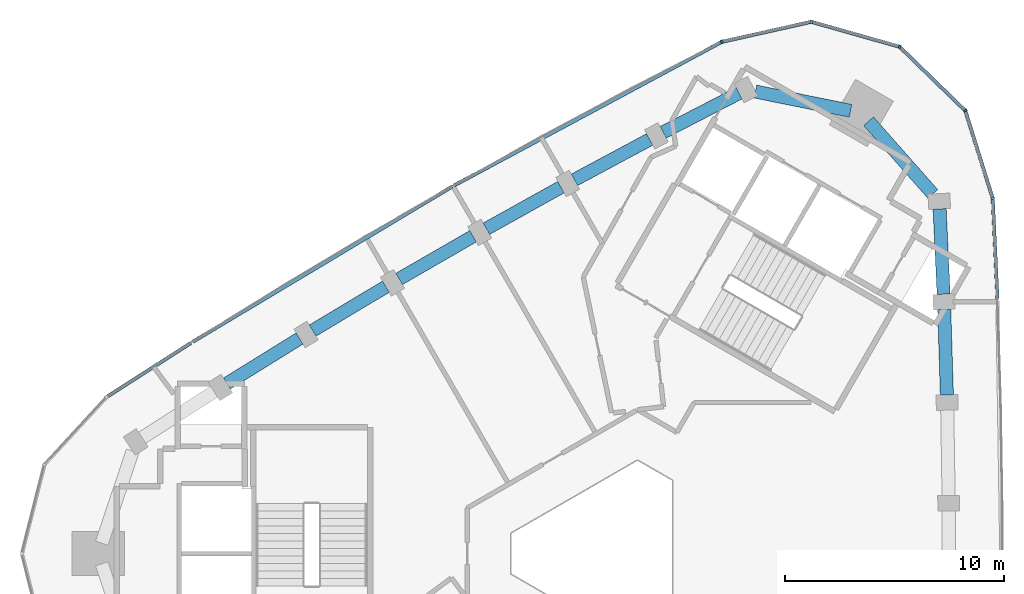
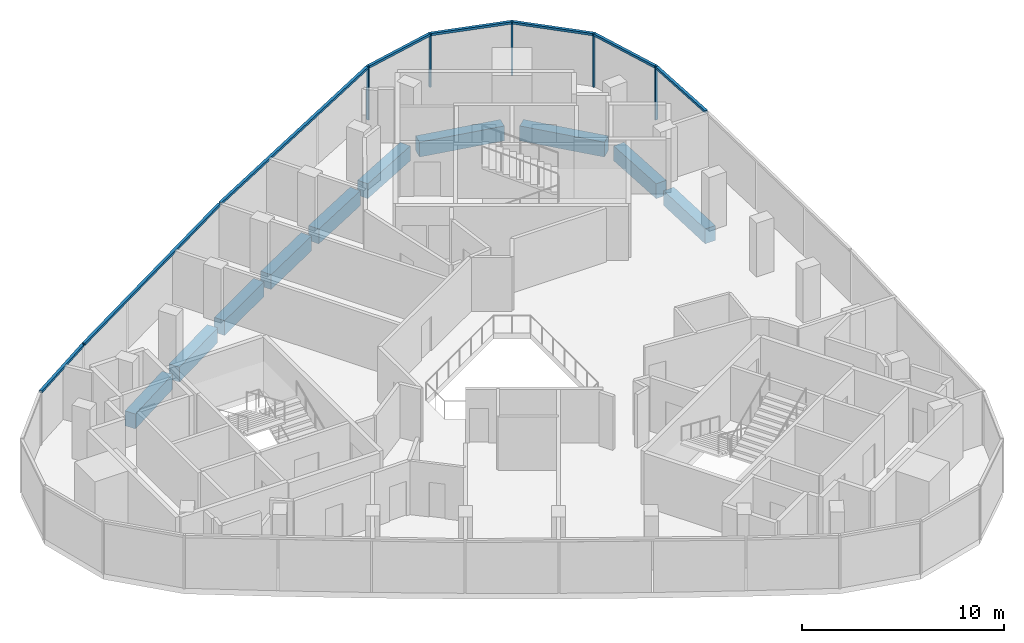
# One storey, part 4 of 10: 13 members, 10 beams, 2 elements without a shape of their own.
"""IFC4 building model written with IfcOpenShell, lengths in metres."""

from ifc_helpers import new_model, si_unit, direction, frame, origin, origin_2d, place, context, subcontext, project, spatial, rectangle, extrude, material, material_profile, profile_set, type_object, element, aggregate, save


model = new_model("IFC4")

# Units and contexts
model_context = context("Model", 3, precision=1e-05, world=origin(), true_north=direction((0.0, 1.0)))
body_context = subcontext(model_context, "Body", "Model", "MODEL_VIEW")
ifc_project = project(units=[si_unit("LENGTHUNIT", "METRE"), si_unit("AREAUNIT", "SQUARE_METRE"), si_unit("VOLUMEUNIT", "CUBIC_METRE"), si_unit("PLANEANGLEUNIT", "RADIAN"), si_unit("MASSUNIT", "GRAM", prefix="KILO")], contexts=[model_context])

# Site, building, storey
site_placement = place(None, origin())
site = spatial("IfcSite", under=ifc_project, at=site_placement, CompositionType="ELEMENT")
building_placement = place(site_placement, origin())
building = spatial("IfcBuilding", under=site, at=building_placement, Name="Tamra Quay Hotel Tower", CompositionType="ELEMENT")
storey_placement = place(building_placement, frame((0.0, 0.0, 276.60009765625)))
storey = spatial("IfcBuildingStorey", under=building, at=storey_placement, Name="L70", CompositionType="ELEMENT", Elevation=276.60009765625)

# Curtain wall, members
ifc_material_1 = material(Name="Aluminium 6063 anodised dark grey", Category="aluminium")
curtain_wall_type_1 = type_object("IfcCurtainWallType", Name="CW1 CURTAIN WALL", PredefinedType="NOTDEFINED", material=ifc_material_1)
curtain_wall_1_placement = place(storey_placement, origin())
curtain_wall_1 = element("IfcCurtainWall", 1, at=curtain_wall_1_placement, inside=storey, type_object=curtain_wall_type_1, Name="CW1 east face L70", PredefinedType="NOTDEFINED")
ifc_material_profile_1 = material_profile(ifc_material_1, rectangle(XDim=0.159912109375, YDim=0.10009765625, at=origin_2d()), Name="MULLION 100X160")
ifc_profile_set_1 = profile_set([ifc_material_profile_1], Name="Aluminium 6063 anodised dark grey")
member_type_1 = type_object("IfcMemberType", Name="MULLION CW1 Z6", PredefinedType="MULLION", material=ifc_profile_set_1)
member_1_placement = place(storey_placement, frame((17.648681640625, 16.25146484375, 0.0), z_axis=(0.0, 0.0, 1.0), x_axis=(0.984739923452, 0.174032419852, 0.0)))
member_1 = element("IfcMember", 2, at=member_1_placement, type_object=member_type_1, Name="CW1 mullion L70.E.8", PredefinedType="MULLION", context=body_context, shape_type="SweptSolid", body=[
    extrude(rectangle(XDim=0.159912109375, YDim=0.10009765625, at=origin_2d()), origin(), (0.0, 0.0, 1.0), 3.25),
])
member_2_placement = place(storey_placement, frame((16.39599609375, 20.2587890625, 0.0), z_axis=(0.0, 0.0, 1.0), x_axis=(0.851964184595, 0.523600065094, 0.0)))
member_2 = element("IfcMember", 3, at=member_2_placement, type_object=member_type_1, Name="CW1 mullion L70.E.9", PredefinedType="MULLION", context=body_context, shape_type="SweptSolid", body=[
    extrude(rectangle(XDim=0.159912109375, YDim=0.10009765625, at=origin_2d()), origin(), (0.0, 0.0, 1.0), 3.25),
])
member_3_placement = place(storey_placement, frame((13.38671875, 23.1865234375, 0.0), z_axis=(0.0, 0.0, 1.0), x_axis=(0.5, 0.866025403784, 0.0)))
member_3 = element("IfcMember", 4, at=member_3_placement, type_object=member_type_1, Name="CW1 mullion L70.E.10", PredefinedType="MULLION", context=body_context, shape_type="SweptSolid", body=[
    extrude(rectangle(XDim=0.159912109375, YDim=0.10009765625, at=origin_2d()), origin(), (0.0, 0.0, 1.0), 3.25),
])
member_4_placement = place(storey_placement, frame((9.346435546875, 24.32861328125, 0.0), z_axis=(0.0, 0.0, 1.0), x_axis=(0.027468865497, 0.999622659521, 0.0)))
member_4 = element("IfcMember", 5, at=member_4_placement, type_object=member_type_1, Name="CW1 mullion L70.E.11", PredefinedType="MULLION", context=body_context, shape_type="SweptSolid", body=[
    extrude(rectangle(XDim=0.159912109375, YDim=0.10009765625, at=origin_2d()), origin(), (0.0, 0.0, 1.0), 3.25),
])

# Curtain wall, member
curtain_wall_type_2 = type_object("IfcCurtainWallType", Name="CW2 CURTAIN WALL", PredefinedType="NOTDEFINED", material=ifc_material_1)
curtain_wall_2_placement = place(storey_placement, origin())
curtain_wall_2 = element("IfcCurtainWall", 6, at=curtain_wall_2_placement, inside=storey, type_object=curtain_wall_type_2, Name="CW2 north-west face L70", PredefinedType="NOTDEFINED")
ifc_material_profile_2 = material_profile(ifc_material_1, rectangle(XDim=0.159912109375, YDim=0.10009765625, at=origin_2d()), Name="MULLION 100X160")
ifc_profile_set_2 = profile_set([ifc_material_profile_2], Name="Aluminium 6063 anodised dark grey")
member_type_2 = type_object("IfcMemberType", Name="MULLION CW2 Z6", PredefinedType="MULLION", material=ifc_profile_set_2)
member_5_placement = place(storey_placement, frame((5.249755859375, 23.409912109375, 0.0), z_axis=(0.0, 0.0, 1.0), x_axis=(-0.341653465052, 0.939825999756, 0.0)))
member_5 = element("IfcMember", 7, at=member_5_placement, type_object=member_type_2, Name="CW2 mullion L70.NW.1", PredefinedType="MULLION", context=body_context, shape_type="SweptSolid", body=[
    extrude(rectangle(XDim=0.159912109375, YDim=0.10009765625, at=origin_2d()), origin(), (0.0, 0.0, 1.0), 3.25),
])

# Beams
ifc_material_2 = material(Name="Concrete M60", Category="concrete")
ifc_material_profile_3 = material_profile(ifc_material_2, rectangle(XDim=0.60009765625, YDim=0.89990234375, at=origin_2d()), Name="SPANDREL BEAM RC 600x900")
ifc_profile_set_3 = profile_set([ifc_material_profile_3], Name="Concrete M60")
beam_type = type_object("IfcBeamType", Name="SPANDREL BEAM RC 600x900", PredefinedType="SPANDREL", material=ifc_profile_set_3)
beam_1_placement = place(storey_placement, frame((15.55126953125, 7.259765625, -0.800048828125), z_axis=(-0.031240604276, 0.999511893198, 0.0), x_axis=(-0.999511893198, -0.031240604276, 0.0)))
element("IfcBeam", 8, at=beam_1_placement, inside=storey, type_object=beam_type, Name="BM-SP6-005-L70", PredefinedType="SPANDREL", context=body_context, shape_type="SweptSolid", body=[
    extrude(rectangle(XDim=0.60009765625, YDim=0.89990234375, at=origin_2d()), origin(), (0.0, 0.0, 1.0), 3.907470703125),
])
beam_2_placement = place(storey_placement, frame((15.40185546875, 11.86474609375, -0.800048828125), z_axis=(-0.04680507522, 0.998904041905, 0.0), x_axis=(-0.998904041905, -0.04680507522, 0.0)))
element("IfcBeam", 9, at=beam_2_placement, inside=storey, type_object=beam_type, Name="BM-SP6-006-L70", PredefinedType="SPANDREL", context=body_context, shape_type="SweptSolid", body=[
    extrude(rectangle(XDim=0.60009765625, YDim=0.89990234375, at=origin_2d()), origin(), (0.0, 0.0, 1.0), 3.906982421875),
])
beam_3_placement = place(storey_placement, frame((14.9072265625, 16.451171875, -0.800048828125), z_axis=(-0.661856103448, 0.749630908066, 0.0), x_axis=(-0.749630908066, -0.661856103448, 0.0)))
element("IfcBeam", 10, at=beam_3_placement, inside=storey, type_object=beam_type, Name="BM-SP6-007-L70", PredefinedType="SPANDREL", context=body_context, shape_type="SweptSolid", body=[
    extrude(rectangle(XDim=0.60009765625, YDim=0.89990234375, at=origin_2d()), origin(), (0.0, 0.0, 1.0), 4.44189453125),
])
beam_4_placement = place(storey_placement, frame((11.146728515625, 20.25439453125, -0.800048828125), z_axis=(-0.980114952618, 0.198430541133, 0.0), x_axis=(-0.198430541133, -0.980114952618, 0.0)))
element("IfcBeam", 11, at=beam_4_placement, inside=storey, type_object=beam_type, Name="BM-SP6-008-L70", PredefinedType="SPANDREL", context=body_context, shape_type="SweptSolid", body=[
    extrude(rectangle(XDim=0.60009765625, YDim=0.89990234375, at=origin_2d()), origin(), (0.0, 0.0, 1.0), 4.441650390625),
])
beam_5_placement = place(storey_placement, frame((6.04541015625, 21.063720703125, -0.800048828125), z_axis=(-0.888476019227, -0.458923047208, 0.0), x_axis=(0.458923047208, -0.888476019227, 0.0)))
element("IfcBeam", 12, at=beam_5_placement, inside=storey, type_object=beam_type, Name="BM-SP6-009-L70", PredefinedType="SPANDREL", context=body_context, shape_type="SweptSolid", body=[
    extrude(rectangle(XDim=0.60009765625, YDim=0.89990234375, at=origin_2d()), origin(), (0.0, 0.0, 1.0), 3.906982421875),
])
beam_6_placement = place(storey_placement, frame((1.954833984375, 18.944580078125, -0.800048828125), z_axis=(-0.88123835064, -0.472672158437, 0.0), x_axis=(0.472672158437, -0.88123835064, 0.0)))
element("IfcBeam", 13, at=beam_6_placement, inside=storey, type_object=beam_type, Name="BM-SP6-010-L70", PredefinedType="SPANDREL", context=body_context, shape_type="SweptSolid", body=[
    extrude(rectangle(XDim=0.60009765625, YDim=0.89990234375, at=origin_2d()), origin(), (0.0, 0.0, 1.0), 3.907470703125),
])
for number, where, z_axis, x_axis, name in (
    (14, (-2.102783203125, 16.761962890625, -0.800048828125), (-0.873726581477, -0.486417373066, 0.0), (0.486417373066, -0.873726581477, 0.0), "BM-SP6-011-L70"),
    (15, (-6.125244140625, 14.516357421875, -0.800048828125), (-0.866011803689, -0.500023555316, 0.0), (0.500023555316, -0.866011803689, 0.0), "BM-SP6-012-L70"),
):
    element("IfcBeam", number, at=place(storey_placement, frame(where, z_axis=z_axis, x_axis=x_axis)), inside=storey, type_object=beam_type, Name=name, PredefinedType="SPANDREL", context=body_context, shape_type="SweptSolid", body=[
        extrude(rectangle(XDim=0.60009765625, YDim=0.89990234375, at=origin_2d()), origin(), (0.0, 0.0, 1.0), 3.906982421875),
    ])
beam_7_placement = place(storey_placement, frame((-10.1123046875, 12.2080078125, -0.800048828125), z_axis=(-0.858120821909, -0.513447811376, 0.0), x_axis=(0.513447811376, -0.858120821909, 0.0)))
element("IfcBeam", 16, at=beam_7_placement, inside=storey, type_object=beam_type, Name="BM-SP6-013-L70", PredefinedType="SPANDREL", context=body_context, shape_type="SweptSolid", body=[
    extrude(rectangle(XDim=0.60009765625, YDim=0.89990234375, at=origin_2d()), origin(), (0.0, 0.0, 1.0), 3.9072265625),
])
beam_8_placement = place(storey_placement, frame((-14.062744140625, 9.837890625, -0.800048828125), z_axis=(-0.849972078006, -0.526827739029, 0.0), x_axis=(0.526827739029, -0.849972078006, 0.0)))
element("IfcBeam", 17, at=beam_8_placement, inside=storey, type_object=beam_type, Name="BM-SP6-014-L70", PredefinedType="SPANDREL", context=body_context, shape_type="SweptSolid", body=[
    extrude(rectangle(XDim=0.60009765625, YDim=0.89990234375, at=origin_2d()), origin(), (0.0, 0.0, 1.0), 3.907470703125),
])

# Member
ifc_material_profile_4 = material_profile(ifc_material_1, rectangle(XDim=0.159912109375, YDim=0.139892578125, at=origin_2d()), Name="TRANSOM 160X140")
ifc_profile_set_4 = profile_set([ifc_material_profile_4], Name="Aluminium 6063 anodised dark grey")
member_type_3 = type_object("IfcMemberType", Name="TRANSOM CW1 Z6", PredefinedType="USERDEFINED", material=ifc_profile_set_4)
member_6_placement = place(storey_placement, frame((17.864013671875, 11.659912109375, 3.179931640625), z_axis=(-0.046825260704, 0.998903095881, 0.0), x_axis=(-0.998903095881, -0.046825260704, 0.0)))
member_6 = element("IfcMember", 18, at=member_6_placement, type_object=member_type_3, Name="CW1 transom L70.E.7", ObjectType="TRANSOM", PredefinedType="USERDEFINED", context=body_context, shape_type="SweptSolid", body=[
    extrude(rectangle(XDim=0.159912109375, YDim=0.139892578125, at=origin_2d()), origin(), (0.0, 0.0, 1.0), 4.54638671875),
])

member_7_placement = place(storey_placement, frame((17.6337890625, 16.299072265625, 3.179931640625), z_axis=(-0.298373352037, 0.954449235315, 0.0), x_axis=(-0.954449235315, -0.298373352037, 0.0)))
member_7 = element("IfcMember", 19, at=member_7_placement, type_object=member_type_3, Name="CW1 transom L70.E.8", ObjectType="TRANSOM", PredefinedType="USERDEFINED", context=body_context, shape_type="SweptSolid", body=[
    extrude(rectangle(XDim=0.159912109375, YDim=0.139892578125, at=origin_2d()), origin(), (0.0, 0.0, 1.0), 4.0986328125),
])

member_8_placement = place(storey_placement, frame((16.360107421875, 20.29345703125, 3.179931640625), z_axis=(-0.716720298204, 0.697360748926, 0.0), x_axis=(-0.697360748926, -0.716720298204, 0.0)))
member_8 = element("IfcMember", 20, at=member_8_placement, type_object=member_type_3, Name="CW1 transom L70.E.9", ObjectType="TRANSOM", PredefinedType="USERDEFINED", context=body_context, shape_type="SweptSolid", body=[
    extrude(rectangle(XDim=0.159912109375, YDim=0.139892578125, at=origin_2d()), origin(), (0.0, 0.0, 1.0), 4.0986328125),
])

member_9_placement = place(storey_placement, frame((13.338623046875, 23.199951171875, 3.179931640625), z_axis=(-0.962266689751, 0.272108099467, 0.0), x_axis=(-0.272108099467, -0.962266689751, 0.0)))
member_9 = element("IfcMember", 21, at=member_9_placement, type_object=member_type_3, Name="CW1 transom L70.E.10", ObjectType="TRANSOM", PredefinedType="USERDEFINED", context=body_context, shape_type="SweptSolid", body=[
    extrude(rectangle(XDim=0.159912109375, YDim=0.139892578125, at=origin_2d()), origin(), (0.0, 0.0, 1.0), 4.098388671875),
])

member_10_placement = place(storey_placement, frame((9.2978515625, 24.317626953125, 3.179931640625), z_axis=(-0.975771819949, -0.21879066569, 0.0), x_axis=(0.21879066569, -0.975771819949, 0.0)))
member_10 = element("IfcMember", 22, at=member_10_placement, type_object=member_type_3, Name="CW1 transom L70.E.11", ObjectType="TRANSOM", PredefinedType="USERDEFINED", context=body_context, shape_type="SweptSolid", body=[
    extrude(rectangle(XDim=0.159912109375, YDim=0.139892578125, at=origin_2d()), origin(), (0.0, 0.0, 1.0), 4.0986328125),
])

aggregate(curtain_wall_1, [member_6, member_1, member_7, member_2, member_8, member_3, member_9, member_4, member_10])

ifc_material_profile_5 = material_profile(ifc_material_1, rectangle(XDim=0.159912109375, YDim=0.139892578125, at=origin_2d()), Name="TRANSOM 160X140")
ifc_profile_set_5 = profile_set([ifc_material_profile_5], Name="Aluminium 6063 anodised dark grey")
member_type_4 = type_object("IfcMemberType", Name="TRANSOM CW2 Z6", PredefinedType="USERDEFINED", material=ifc_profile_set_5)
member_11_placement = place(storey_placement, frame((5.205322265625, 23.386962890625, 3.179931640625), z_axis=(-0.881219076689, -0.472708090559, 0.0), x_axis=(0.472708090559, -0.881219076689, 0.0)))
member_11 = element("IfcMember", 23, at=member_11_placement, type_object=member_type_4, Name="CW2 transom L70.NW.1", ObjectType="TRANSOM", PredefinedType="USERDEFINED", context=body_context, shape_type="SweptSolid", body=[
    extrude(rectangle(XDim=0.159912109375, YDim=0.139892578125, at=origin_2d()), origin(), (0.0, 0.0, 1.0), 13.835205078125),
])

member_12_placement = place(storey_placement, frame((-7.07373046875, 16.797607421875, 3.179931640625), z_axis=(-0.858107378592, -0.513470278406, 0.0), x_axis=(0.513470278406, -0.858107378592, 0.0)))
member_12 = element("IfcMember", 24, at=member_12_placement, type_object=member_type_4, Name="CW2 transom L70.NW.4", ObjectType="TRANSOM", PredefinedType="USERDEFINED", context=body_context, shape_type="SweptSolid", body=[
    extrude(rectangle(XDim=0.159912109375, YDim=0.139892578125, at=origin_2d()), origin(), (0.0, 0.0, 1.0), 13.834228515625),
])

member_13_placement = place(storey_placement, frame((-19.02978515625, 9.640625, 3.179931640625), z_axis=(-0.841670137193, -0.539992018605, 0.0), x_axis=(0.539992018605, -0.841670137193, 0.0)))
member_13 = element("IfcMember", 25, at=member_13_placement, type_object=member_type_4, Name="CW2 transom L70.NW.7", ObjectType="TRANSOM", PredefinedType="USERDEFINED", context=body_context, shape_type="SweptSolid", body=[
    extrude(rectangle(XDim=0.159912109375, YDim=0.139892578125, at=origin_2d()), origin(), (0.0, 0.0, 1.0), 4.54638671875),
])

aggregate(curtain_wall_2, [member_5, member_11, member_12, member_13])

save(model, "model.ifc")
